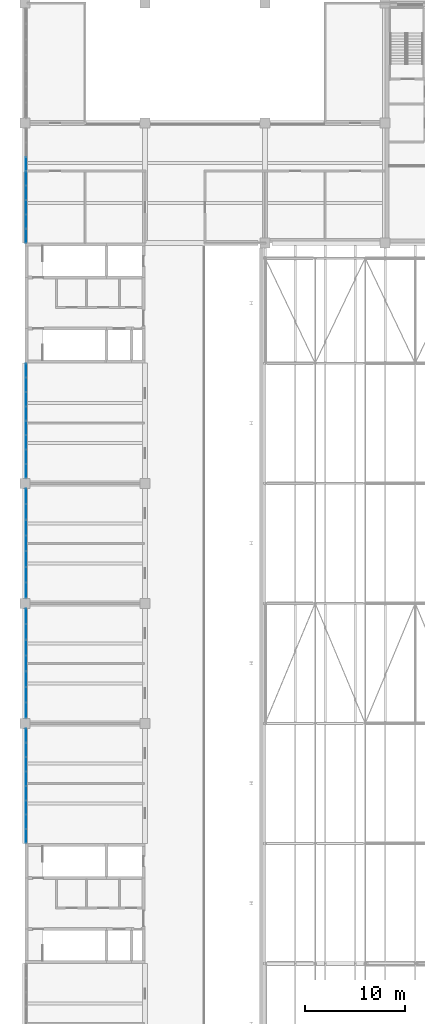
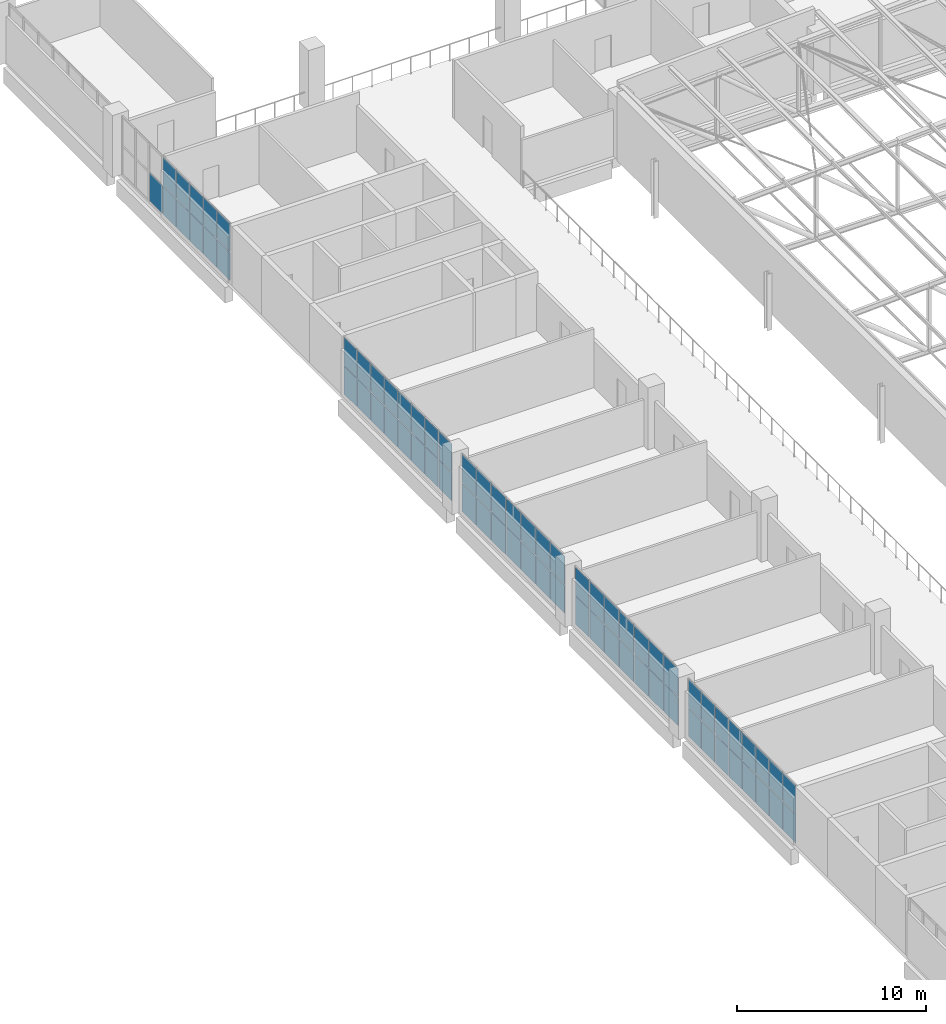
# One storey, part 138 of 156: 71 plates, 5 elements without a shape of their own.
"""IFC4 building model written with IfcOpenShell, lengths in metres."""

from ifc_helpers import new_model, si_unit, direction, frame, origin, origin_2d, place, context, subcontext, project, spatial, rectangle, extrude, material, layer, layer_set, type_object, element, aggregate, save


model = new_model("IFC4")

# Units and contexts
model_context = context("Model", 3, precision=1e-05, world=origin(), true_north=direction((0.0, 1.0)))
body_context = subcontext(model_context, "Body", "Model", "MODEL_VIEW")
ifc_project = project(units=[si_unit("LENGTHUNIT", "METRE"), si_unit("AREAUNIT", "SQUARE_METRE"), si_unit("VOLUMEUNIT", "CUBIC_METRE"), si_unit("PLANEANGLEUNIT", "RADIAN"), si_unit("MASSUNIT", "GRAM", prefix="KILO")], contexts=[model_context])

# Site, building, storey
site_placement = place(None, origin())
site = spatial("IfcSite", under=ifc_project, at=site_placement, CompositionType="ELEMENT")
building_placement = place(site_placement, origin())
building = spatial("IfcBuilding", under=site, at=building_placement, Name="Lilac Gate Convention Centre", CompositionType="ELEMENT")
storey_placement = place(building_placement, frame((0.0, 0.0, 17.0)))
storey = spatial("IfcBuildingStorey", under=building, at=storey_placement, Name="L03", CompositionType="ELEMENT", Elevation=17.0)

# Curtain wall, plates
ifc_material_1 = material(Name="Aluminium framed double glazing", Category="aluminium")
ifc_layer_1 = layer(ifc_material_1, 0.199951171875)
ifc_layer_set_1 = layer_set([ifc_layer_1], Name="Aluminium framed double glazing")
curtain_wall_type = type_object("IfcCurtainWallType", Name="Unitised curtain wall 1500", PredefinedType="NOTDEFINED", material=ifc_layer_set_1)
curtain_wall_1_placement = place(storey_placement, origin())
curtain_wall_1 = element("IfcCurtainWall", 1, at=curtain_wall_1_placement, inside=storey, type_object=curtain_wall_type, Name="Curtain wall PW L03 1", PredefinedType="NOTDEFINED")
ifc_material_2 = material(Name="Double glazed unit low emissivity")
ifc_layer_2 = layer(ifc_material_2, 0.028076171875)
ifc_layer_set_2 = layer_set([ifc_layer_2], Name="Double glazed unit low emissivity")
plate_type_1 = type_object("IfcPlateType", Name="Curtain wall glass panel 28", PredefinedType="CURTAIN_PANEL", material=ifc_layer_set_2)
plate_1_placement = place(storey_placement, frame((6.10009765625, 209.266357421875, 1.929931640625), z_axis=(0.0, 0.0, 1.0), x_axis=(0.0, -1.0, 0.0)))
plate_1 = element("IfcPlate", 2, at=plate_1_placement, type_object=plate_type_1, Name="CW panel 1.2", PredefinedType="CURTAIN_PANEL", context=body_context, shape_type="SweptSolid", body=[
    extrude(rectangle(XDim=1.347412109375, YDim=0.028076171875, at=origin_2d()), origin(), (0.0, 0.0, 1.0), 1.81005859375),
])
plate_2_placement = place(storey_placement, frame((6.10009765625, 207.84375, 1.929931640625), z_axis=(0.0, 0.0, 1.0), x_axis=(0.0, -1.0, 0.0)))
plate_2 = element("IfcPlate", 3, at=plate_2_placement, type_object=plate_type_1, Name="CW panel 2.2", PredefinedType="CURTAIN_PANEL", context=body_context, shape_type="SweptSolid", body=[
    extrude(rectangle(XDim=1.37744140625, YDim=0.028076171875, at=origin_2d()), origin(), (0.0, 0.0, 1.0), 1.81005859375),
])
plate_3_placement = place(storey_placement, frame((6.10009765625, 206.40625, 1.929931640625), z_axis=(0.0, 0.0, 1.0), x_axis=(0.0, -1.0, 0.0)))
plate_3 = element("IfcPlate", 4, at=plate_3_placement, type_object=plate_type_1, Name="CW panel 3.2", PredefinedType="CURTAIN_PANEL", context=body_context, shape_type="SweptSolid", body=[
    extrude(rectangle(XDim=1.37744140625, YDim=0.028076171875, at=origin_2d()), origin(), (0.0, 0.0, 1.0), 1.81005859375),
])
plate_4_placement = place(storey_placement, frame((6.10009765625, 204.96875, 1.929931640625), z_axis=(0.0, 0.0, 1.0), x_axis=(0.0, -1.0, 0.0)))
plate_4 = element("IfcPlate", 5, at=plate_4_placement, type_object=plate_type_1, Name="CW panel 4.2", PredefinedType="CURTAIN_PANEL", context=body_context, shape_type="SweptSolid", body=[
    extrude(rectangle(XDim=1.37744140625, YDim=0.028076171875, at=origin_2d()), origin(), (0.0, 0.0, 1.0), 1.81005859375),
])
plate_5_placement = place(storey_placement, frame((6.10009765625, 203.53125, 1.929931640625), z_axis=(0.0, 0.0, 1.0), x_axis=(0.0, -1.0, 0.0)))
plate_5 = element("IfcPlate", 6, at=plate_5_placement, type_object=plate_type_1, Name="CW panel 5.2", PredefinedType="CURTAIN_PANEL", context=body_context, shape_type="SweptSolid", body=[
    extrude(rectangle(XDim=1.37744140625, YDim=0.028076171875, at=origin_2d()), origin(), (0.0, 0.0, 1.0), 1.81005859375),
])
plate_6_placement = place(storey_placement, frame((6.10009765625, 202.09375, 1.929931640625), z_axis=(0.0, 0.0, 1.0), x_axis=(0.0, -1.0, 0.0)))
plate_6 = element("IfcPlate", 7, at=plate_6_placement, type_object=plate_type_1, Name="CW panel 6.2", PredefinedType="CURTAIN_PANEL", context=body_context, shape_type="SweptSolid", body=[
    extrude(rectangle(XDim=1.37744140625, YDim=0.028076171875, at=origin_2d()), origin(), (0.0, 0.0, 1.0), 1.81005859375),
])
plate_7_placement = place(storey_placement, frame((6.10009765625, 200.65625, 1.929931640625), z_axis=(0.0, 0.0, 1.0), x_axis=(0.0, -1.0, 0.0)))
plate_7 = element("IfcPlate", 8, at=plate_7_placement, type_object=plate_type_1, Name="CW panel 7.2", PredefinedType="CURTAIN_PANEL", context=body_context, shape_type="SweptSolid", body=[
    extrude(rectangle(XDim=1.37744140625, YDim=0.028076171875, at=origin_2d()), origin(), (0.0, 0.0, 1.0), 1.81005859375),
])
plate_8_placement = place(storey_placement, frame((6.10009765625, 199.233642578125, 1.929931640625), z_axis=(0.0, 0.0, 1.0), x_axis=(0.0, -1.0, 0.0)))
plate_8 = element("IfcPlate", 9, at=plate_8_placement, type_object=plate_type_1, Name="CW panel 8.2", PredefinedType="CURTAIN_PANEL", context=body_context, shape_type="SweptSolid", body=[
    extrude(rectangle(XDim=1.347412109375, YDim=0.028076171875, at=origin_2d()), origin(), (0.0, 0.0, 1.0), 1.81005859375),
])

curtain_wall_2_placement = place(storey_placement, origin())
curtain_wall_2 = element("IfcCurtainWall", 10, at=curtain_wall_2_placement, inside=storey, type_object=curtain_wall_type, Name="Curtain wall PW L03 2", PredefinedType="NOTDEFINED")
plate_9_placement = place(storey_placement, frame((6.10009765625, 196.69921875, 1.929931640625), z_axis=(0.0, 0.0, 1.0), x_axis=(0.0, -1.0, 0.0)))
plate_9 = element("IfcPlate", 11, at=plate_9_placement, type_object=plate_type_1, Name="CW panel 1.2", PredefinedType="CURTAIN_PANEL", context=body_context, shape_type="SweptSolid", body=[
    extrude(rectangle(XDim=1.4814453125, YDim=0.028076171875, at=origin_2d()), origin(), (0.0, 0.0, 1.0), 1.81005859375),
])
plate_10_placement = place(storey_placement, frame((6.10009765625, 195.142822265625, 1.929931640625), z_axis=(0.0, 0.0, 1.0), x_axis=(0.0, -1.0, 0.0)))
plate_10 = element("IfcPlate", 12, at=plate_10_placement, type_object=plate_type_1, Name="CW panel 2.2", PredefinedType="CURTAIN_PANEL", context=body_context, shape_type="SweptSolid", body=[
    extrude(rectangle(XDim=1.511474609375, YDim=0.028076171875, at=origin_2d()), origin(), (0.0, 0.0, 1.0), 1.81005859375),
])
plate_11_placement = place(storey_placement, frame((6.10009765625, 193.571533203125, 1.929931640625), z_axis=(0.0, 0.0, 1.0), x_axis=(0.0, -1.0, 0.0)))
plate_11 = element("IfcPlate", 13, at=plate_11_placement, type_object=plate_type_1, Name="CW panel 3.2", PredefinedType="CURTAIN_PANEL", context=body_context, shape_type="SweptSolid", body=[
    extrude(rectangle(XDim=1.511474609375, YDim=0.028076171875, at=origin_2d()), origin(), (0.0, 0.0, 1.0), 1.81005859375),
])
plate_12_placement = place(storey_placement, frame((6.10009765625, 192.0, 1.929931640625), z_axis=(0.0, 0.0, 1.0), x_axis=(0.0, -1.0, 0.0)))
plate_12 = element("IfcPlate", 14, at=plate_12_placement, type_object=plate_type_1, Name="CW panel 4.2", PredefinedType="CURTAIN_PANEL", context=body_context, shape_type="SweptSolid", body=[
    extrude(rectangle(XDim=1.511474609375, YDim=0.028076171875, at=origin_2d()), origin(), (0.0, 0.0, 1.0), 1.81005859375),
])
plate_13_placement = place(storey_placement, frame((6.10009765625, 190.428466796875, 1.929931640625), z_axis=(0.0, 0.0, 1.0), x_axis=(0.0, -1.0, 0.0)))
plate_13 = element("IfcPlate", 15, at=plate_13_placement, type_object=plate_type_1, Name="CW panel 5.2", PredefinedType="CURTAIN_PANEL", context=body_context, shape_type="SweptSolid", body=[
    extrude(rectangle(XDim=1.511474609375, YDim=0.028076171875, at=origin_2d()), origin(), (0.0, 0.0, 1.0), 1.81005859375),
])
plate_14_placement = place(storey_placement, frame((6.10009765625, 188.857177734375, 1.929931640625), z_axis=(0.0, 0.0, 1.0), x_axis=(0.0, -1.0, 0.0)))
plate_14 = element("IfcPlate", 16, at=plate_14_placement, type_object=plate_type_1, Name="CW panel 6.2", PredefinedType="CURTAIN_PANEL", context=body_context, shape_type="SweptSolid", body=[
    extrude(rectangle(XDim=1.511474609375, YDim=0.028076171875, at=origin_2d()), origin(), (0.0, 0.0, 1.0), 1.81005859375),
])
plate_15_placement = place(storey_placement, frame((6.10009765625, 187.30078125, 1.929931640625), z_axis=(0.0, 0.0, 1.0), x_axis=(0.0, -1.0, 0.0)))
plate_15 = element("IfcPlate", 17, at=plate_15_placement, type_object=plate_type_1, Name="CW panel 7.2", PredefinedType="CURTAIN_PANEL", context=body_context, shape_type="SweptSolid", body=[
    extrude(rectangle(XDim=1.4814453125, YDim=0.028076171875, at=origin_2d()), origin(), (0.0, 0.0, 1.0), 1.81005859375),
])

curtain_wall_3_placement = place(storey_placement, origin())
curtain_wall_3 = element("IfcCurtainWall", 18, at=curtain_wall_3_placement, inside=storey, type_object=curtain_wall_type, Name="Curtain wall PW L03 3", PredefinedType="NOTDEFINED")
plate_16_placement = place(storey_placement, frame((6.10009765625, 184.69921875, 1.929931640625), z_axis=(0.0, 0.0, 1.0), x_axis=(0.0, -1.0, 0.0)))
plate_16 = element("IfcPlate", 19, at=plate_16_placement, type_object=plate_type_1, Name="CW panel 1.2", PredefinedType="CURTAIN_PANEL", context=body_context, shape_type="SweptSolid", body=[
    extrude(rectangle(XDim=1.4814453125, YDim=0.028076171875, at=origin_2d()), origin(), (0.0, 0.0, 1.0), 1.81005859375),
])
plate_17_placement = place(storey_placement, frame((6.10009765625, 183.142822265625, 1.929931640625), z_axis=(0.0, 0.0, 1.0), x_axis=(0.0, -1.0, 0.0)))
plate_17 = element("IfcPlate", 20, at=plate_17_placement, type_object=plate_type_1, Name="CW panel 2.2", PredefinedType="CURTAIN_PANEL", context=body_context, shape_type="SweptSolid", body=[
    extrude(rectangle(XDim=1.511474609375, YDim=0.028076171875, at=origin_2d()), origin(), (0.0, 0.0, 1.0), 1.81005859375),
])
plate_18_placement = place(storey_placement, frame((6.10009765625, 181.571533203125, 1.929931640625), z_axis=(0.0, 0.0, 1.0), x_axis=(0.0, -1.0, 0.0)))
plate_18 = element("IfcPlate", 21, at=plate_18_placement, type_object=plate_type_1, Name="CW panel 3.2", PredefinedType="CURTAIN_PANEL", context=body_context, shape_type="SweptSolid", body=[
    extrude(rectangle(XDim=1.511474609375, YDim=0.028076171875, at=origin_2d()), origin(), (0.0, 0.0, 1.0), 1.81005859375),
])
plate_19_placement = place(storey_placement, frame((6.10009765625, 180.0, 1.929931640625), z_axis=(0.0, 0.0, 1.0), x_axis=(0.0, -1.0, 0.0)))
plate_19 = element("IfcPlate", 22, at=plate_19_placement, type_object=plate_type_1, Name="CW panel 4.2", PredefinedType="CURTAIN_PANEL", context=body_context, shape_type="SweptSolid", body=[
    extrude(rectangle(XDim=1.511474609375, YDim=0.028076171875, at=origin_2d()), origin(), (0.0, 0.0, 1.0), 1.81005859375),
])
plate_20_placement = place(storey_placement, frame((6.10009765625, 178.428466796875, 1.929931640625), z_axis=(0.0, 0.0, 1.0), x_axis=(0.0, -1.0, 0.0)))
plate_20 = element("IfcPlate", 23, at=plate_20_placement, type_object=plate_type_1, Name="CW panel 5.2", PredefinedType="CURTAIN_PANEL", context=body_context, shape_type="SweptSolid", body=[
    extrude(rectangle(XDim=1.511474609375, YDim=0.028076171875, at=origin_2d()), origin(), (0.0, 0.0, 1.0), 1.81005859375),
])
plate_21_placement = place(storey_placement, frame((6.10009765625, 176.857177734375, 1.929931640625), z_axis=(0.0, 0.0, 1.0), x_axis=(0.0, -1.0, 0.0)))
plate_21 = element("IfcPlate", 24, at=plate_21_placement, type_object=plate_type_1, Name="CW panel 6.2", PredefinedType="CURTAIN_PANEL", context=body_context, shape_type="SweptSolid", body=[
    extrude(rectangle(XDim=1.511474609375, YDim=0.028076171875, at=origin_2d()), origin(), (0.0, 0.0, 1.0), 1.81005859375),
])
plate_22_placement = place(storey_placement, frame((6.10009765625, 175.30078125, 1.929931640625), z_axis=(0.0, 0.0, 1.0), x_axis=(0.0, -1.0, 0.0)))
plate_22 = element("IfcPlate", 25, at=plate_22_placement, type_object=plate_type_1, Name="CW panel 7.2", PredefinedType="CURTAIN_PANEL", context=body_context, shape_type="SweptSolid", body=[
    extrude(rectangle(XDim=1.4814453125, YDim=0.028076171875, at=origin_2d()), origin(), (0.0, 0.0, 1.0), 1.81005859375),
])

curtain_wall_4_placement = place(storey_placement, origin())
curtain_wall_4 = element("IfcCurtainWall", 26, at=curtain_wall_4_placement, inside=storey, type_object=curtain_wall_type, Name="Curtain wall PW L03 4", PredefinedType="NOTDEFINED")
plate_23_placement = place(storey_placement, frame((6.10009765625, 172.766357421875, 1.929931640625), z_axis=(0.0, 0.0, 1.0), x_axis=(0.0, -1.0, 0.0)))
plate_23 = element("IfcPlate", 27, at=plate_23_placement, type_object=plate_type_1, Name="CW panel 1.2", PredefinedType="CURTAIN_PANEL", context=body_context, shape_type="SweptSolid", body=[
    extrude(rectangle(XDim=1.347412109375, YDim=0.028076171875, at=origin_2d()), origin(), (0.0, 0.0, 1.0), 1.81005859375),
])
plate_24_placement = place(storey_placement, frame((6.10009765625, 171.34375, 1.929931640625), z_axis=(0.0, 0.0, 1.0), x_axis=(0.0, -1.0, 0.0)))
plate_24 = element("IfcPlate", 28, at=plate_24_placement, type_object=plate_type_1, Name="CW panel 2.2", PredefinedType="CURTAIN_PANEL", context=body_context, shape_type="SweptSolid", body=[
    extrude(rectangle(XDim=1.37744140625, YDim=0.028076171875, at=origin_2d()), origin(), (0.0, 0.0, 1.0), 1.81005859375),
])
plate_25_placement = place(storey_placement, frame((6.10009765625, 169.90625, 1.929931640625), z_axis=(0.0, 0.0, 1.0), x_axis=(0.0, -1.0, 0.0)))
plate_25 = element("IfcPlate", 29, at=plate_25_placement, type_object=plate_type_1, Name="CW panel 3.2", PredefinedType="CURTAIN_PANEL", context=body_context, shape_type="SweptSolid", body=[
    extrude(rectangle(XDim=1.37744140625, YDim=0.028076171875, at=origin_2d()), origin(), (0.0, 0.0, 1.0), 1.81005859375),
])
plate_26_placement = place(storey_placement, frame((6.10009765625, 168.46875, 1.929931640625), z_axis=(0.0, 0.0, 1.0), x_axis=(0.0, -1.0, 0.0)))
plate_26 = element("IfcPlate", 30, at=plate_26_placement, type_object=plate_type_1, Name="CW panel 4.2", PredefinedType="CURTAIN_PANEL", context=body_context, shape_type="SweptSolid", body=[
    extrude(rectangle(XDim=1.37744140625, YDim=0.028076171875, at=origin_2d()), origin(), (0.0, 0.0, 1.0), 1.81005859375),
])
plate_27_placement = place(storey_placement, frame((6.10009765625, 167.03125, 1.929931640625), z_axis=(0.0, 0.0, 1.0), x_axis=(0.0, -1.0, 0.0)))
plate_27 = element("IfcPlate", 31, at=plate_27_placement, type_object=plate_type_1, Name="CW panel 5.2", PredefinedType="CURTAIN_PANEL", context=body_context, shape_type="SweptSolid", body=[
    extrude(rectangle(XDim=1.37744140625, YDim=0.028076171875, at=origin_2d()), origin(), (0.0, 0.0, 1.0), 1.81005859375),
])
plate_28_placement = place(storey_placement, frame((6.10009765625, 165.59375, 1.929931640625), z_axis=(0.0, 0.0, 1.0), x_axis=(0.0, -1.0, 0.0)))
plate_28 = element("IfcPlate", 32, at=plate_28_placement, type_object=plate_type_1, Name="CW panel 6.2", PredefinedType="CURTAIN_PANEL", context=body_context, shape_type="SweptSolid", body=[
    extrude(rectangle(XDim=1.37744140625, YDim=0.028076171875, at=origin_2d()), origin(), (0.0, 0.0, 1.0), 1.81005859375),
])
plate_29_placement = place(storey_placement, frame((6.10009765625, 164.15625, 1.929931640625), z_axis=(0.0, 0.0, 1.0), x_axis=(0.0, -1.0, 0.0)))
plate_29 = element("IfcPlate", 33, at=plate_29_placement, type_object=plate_type_1, Name="CW panel 7.2", PredefinedType="CURTAIN_PANEL", context=body_context, shape_type="SweptSolid", body=[
    extrude(rectangle(XDim=1.37744140625, YDim=0.028076171875, at=origin_2d()), origin(), (0.0, 0.0, 1.0), 1.81005859375),
])
plate_30_placement = place(storey_placement, frame((6.10009765625, 162.733642578125, 1.929931640625), z_axis=(0.0, 0.0, 1.0), x_axis=(0.0, -1.0, 0.0)))
plate_30 = element("IfcPlate", 34, at=plate_30_placement, type_object=plate_type_1, Name="CW panel 8.2", PredefinedType="CURTAIN_PANEL", context=body_context, shape_type="SweptSolid", body=[
    extrude(rectangle(XDim=1.347412109375, YDim=0.028076171875, at=origin_2d()), origin(), (0.0, 0.0, 1.0), 1.81005859375),
])

curtain_wall_5_placement = place(storey_placement, origin())
curtain_wall_5 = element("IfcCurtainWall", 35, at=curtain_wall_5_placement, inside=storey, type_object=curtain_wall_type, Name="Curtain wall GW L03 2", PredefinedType="NOTDEFINED")
plate_31_placement = place(storey_placement, frame((6.10009765625, 228.46875, 1.929931640625), z_axis=(0.0, 0.0, 1.0), x_axis=(0.0, -1.0, 0.0)))
plate_31 = element("IfcPlate", 36, at=plate_31_placement, type_object=plate_type_1, Name="CW panel 4.2", PredefinedType="CURTAIN_PANEL", context=body_context, shape_type="SweptSolid", body=[
    extrude(rectangle(XDim=1.37744140625, YDim=0.028076171875, at=origin_2d()), origin(), (0.0, 0.0, 1.0), 1.81005859375),
])
plate_32_placement = place(storey_placement, frame((6.10009765625, 227.03125, 1.929931640625), z_axis=(0.0, 0.0, 1.0), x_axis=(0.0, -1.0, 0.0)))
plate_32 = element("IfcPlate", 37, at=plate_32_placement, type_object=plate_type_1, Name="CW panel 5.2", PredefinedType="CURTAIN_PANEL", context=body_context, shape_type="SweptSolid", body=[
    extrude(rectangle(XDim=1.37744140625, YDim=0.028076171875, at=origin_2d()), origin(), (0.0, 0.0, 1.0), 1.81005859375),
])
plate_33_placement = place(storey_placement, frame((6.10009765625, 225.59375, 1.929931640625), z_axis=(0.0, 0.0, 1.0), x_axis=(0.0, -1.0, 0.0)))
plate_33 = element("IfcPlate", 38, at=plate_33_placement, type_object=plate_type_1, Name="CW panel 6.2", PredefinedType="CURTAIN_PANEL", context=body_context, shape_type="SweptSolid", body=[
    extrude(rectangle(XDim=1.37744140625, YDim=0.028076171875, at=origin_2d()), origin(), (0.0, 0.0, 1.0), 1.81005859375),
])
plate_34_placement = place(storey_placement, frame((6.10009765625, 224.15625, 1.929931640625), z_axis=(0.0, 0.0, 1.0), x_axis=(0.0, -1.0, 0.0)))
plate_34 = element("IfcPlate", 39, at=plate_34_placement, type_object=plate_type_1, Name="CW panel 7.2", PredefinedType="CURTAIN_PANEL", context=body_context, shape_type="SweptSolid", body=[
    extrude(rectangle(XDim=1.37744140625, YDim=0.028076171875, at=origin_2d()), origin(), (0.0, 0.0, 1.0), 1.81005859375),
])
plate_35_placement = place(storey_placement, frame((6.10009765625, 222.733642578125, 1.929931640625), z_axis=(0.0, 0.0, 1.0), x_axis=(0.0, -1.0, 0.0)))
plate_35 = element("IfcPlate", 40, at=plate_35_placement, type_object=plate_type_1, Name="CW panel 8.2", PredefinedType="CURTAIN_PANEL", context=body_context, shape_type="SweptSolid", body=[
    extrude(rectangle(XDim=1.347412109375, YDim=0.028076171875, at=origin_2d()), origin(), (0.0, 0.0, 1.0), 1.81005859375),
])

# Plate
ifc_material_3 = material(Name="Insulated aluminium spandrel panel", Category="aluminium")
ifc_layer_3 = layer(ifc_material_3, 0.028076171875)
ifc_layer_set_3 = layer_set([ifc_layer_3], Name="Insulated aluminium spandrel panel")
plate_type_2 = type_object("IfcPlateType", Name="Curtain wall spandrel panel 28", PredefinedType="CURTAIN_PANEL", material=ifc_layer_set_3)
plate_36_placement = place(storey_placement, frame((6.10009765625, 209.266357421875, 0.06005859375), z_axis=(0.0, 0.0, 1.0), x_axis=(0.0, -1.0, 0.0)))
plate_36 = element("IfcPlate", 41, at=plate_36_placement, type_object=plate_type_2, Name="CW spandrel 1.1", PredefinedType="CURTAIN_PANEL", context=body_context, shape_type="SweptSolid", body=[
    extrude(rectangle(XDim=1.347412109375, YDim=0.028076171875, at=origin_2d()), origin(), (0.0, 0.0, 1.0), 1.81005859375),
])

plate_37_placement = place(storey_placement, frame((6.10009765625, 207.84375, 0.06005859375), z_axis=(0.0, 0.0, 1.0), x_axis=(0.0, -1.0, 0.0)))
plate_37 = element("IfcPlate", 42, at=plate_37_placement, type_object=plate_type_2, Name="CW spandrel 2.1", PredefinedType="CURTAIN_PANEL", context=body_context, shape_type="SweptSolid", body=[
    extrude(rectangle(XDim=1.37744140625, YDim=0.028076171875, at=origin_2d()), origin(), (0.0, 0.0, 1.0), 1.81005859375),
])

plate_38_placement = place(storey_placement, frame((6.10009765625, 206.40625, 0.06005859375), z_axis=(0.0, 0.0, 1.0), x_axis=(0.0, -1.0, 0.0)))
plate_38 = element("IfcPlate", 43, at=plate_38_placement, type_object=plate_type_2, Name="CW spandrel 3.1", PredefinedType="CURTAIN_PANEL", context=body_context, shape_type="SweptSolid", body=[
    extrude(rectangle(XDim=1.37744140625, YDim=0.028076171875, at=origin_2d()), origin(), (0.0, 0.0, 1.0), 1.81005859375),
])

plate_39_placement = place(storey_placement, frame((6.10009765625, 204.96875, 0.06005859375), z_axis=(0.0, 0.0, 1.0), x_axis=(0.0, -1.0, 0.0)))
plate_39 = element("IfcPlate", 44, at=plate_39_placement, type_object=plate_type_2, Name="CW spandrel 4.1", PredefinedType="CURTAIN_PANEL", context=body_context, shape_type="SweptSolid", body=[
    extrude(rectangle(XDim=1.37744140625, YDim=0.028076171875, at=origin_2d()), origin(), (0.0, 0.0, 1.0), 1.81005859375),
])

plate_40_placement = place(storey_placement, frame((6.10009765625, 203.53125, 0.06005859375), z_axis=(0.0, 0.0, 1.0), x_axis=(0.0, -1.0, 0.0)))
plate_40 = element("IfcPlate", 45, at=plate_40_placement, type_object=plate_type_2, Name="CW spandrel 5.1", PredefinedType="CURTAIN_PANEL", context=body_context, shape_type="SweptSolid", body=[
    extrude(rectangle(XDim=1.37744140625, YDim=0.028076171875, at=origin_2d()), origin(), (0.0, 0.0, 1.0), 1.81005859375),
])

plate_41_placement = place(storey_placement, frame((6.10009765625, 202.09375, 0.06005859375), z_axis=(0.0, 0.0, 1.0), x_axis=(0.0, -1.0, 0.0)))
plate_41 = element("IfcPlate", 46, at=plate_41_placement, type_object=plate_type_2, Name="CW spandrel 6.1", PredefinedType="CURTAIN_PANEL", context=body_context, shape_type="SweptSolid", body=[
    extrude(rectangle(XDim=1.37744140625, YDim=0.028076171875, at=origin_2d()), origin(), (0.0, 0.0, 1.0), 1.81005859375),
])

plate_42_placement = place(storey_placement, frame((6.10009765625, 200.65625, 0.06005859375), z_axis=(0.0, 0.0, 1.0), x_axis=(0.0, -1.0, 0.0)))
plate_42 = element("IfcPlate", 47, at=plate_42_placement, type_object=plate_type_2, Name="CW spandrel 7.1", PredefinedType="CURTAIN_PANEL", context=body_context, shape_type="SweptSolid", body=[
    extrude(rectangle(XDim=1.37744140625, YDim=0.028076171875, at=origin_2d()), origin(), (0.0, 0.0, 1.0), 1.81005859375),
])

plate_43_placement = place(storey_placement, frame((6.10009765625, 199.233642578125, 0.06005859375), z_axis=(0.0, 0.0, 1.0), x_axis=(0.0, -1.0, 0.0)))
plate_43 = element("IfcPlate", 48, at=plate_43_placement, type_object=plate_type_2, Name="CW spandrel 8.1", PredefinedType="CURTAIN_PANEL", context=body_context, shape_type="SweptSolid", body=[
    extrude(rectangle(XDim=1.347412109375, YDim=0.028076171875, at=origin_2d()), origin(), (0.0, 0.0, 1.0), 1.81005859375),
])

aggregate(curtain_wall_1, [plate_36, plate_1, plate_37, plate_2, plate_38, plate_3, plate_39, plate_4, plate_40, plate_5, plate_41, plate_6, plate_42, plate_7, plate_43, plate_8])

plate_44_placement = place(storey_placement, frame((6.10009765625, 196.69921875, 0.06005859375), z_axis=(0.0, 0.0, 1.0), x_axis=(0.0, -1.0, 0.0)))
plate_44 = element("IfcPlate", 49, at=plate_44_placement, type_object=plate_type_2, Name="CW spandrel 1.1", PredefinedType="CURTAIN_PANEL", context=body_context, shape_type="SweptSolid", body=[
    extrude(rectangle(XDim=1.4814453125, YDim=0.028076171875, at=origin_2d()), origin(), (0.0, 0.0, 1.0), 1.81005859375),
])

plate_45_placement = place(storey_placement, frame((6.10009765625, 195.142822265625, 0.06005859375), z_axis=(0.0, 0.0, 1.0), x_axis=(0.0, -1.0, 0.0)))
plate_45 = element("IfcPlate", 50, at=plate_45_placement, type_object=plate_type_2, Name="CW spandrel 2.1", PredefinedType="CURTAIN_PANEL", context=body_context, shape_type="SweptSolid", body=[
    extrude(rectangle(XDim=1.511474609375, YDim=0.028076171875, at=origin_2d()), origin(), (0.0, 0.0, 1.0), 1.81005859375),
])

plate_46_placement = place(storey_placement, frame((6.10009765625, 193.571533203125, 0.06005859375), z_axis=(0.0, 0.0, 1.0), x_axis=(0.0, -1.0, 0.0)))
plate_46 = element("IfcPlate", 51, at=plate_46_placement, type_object=plate_type_2, Name="CW spandrel 3.1", PredefinedType="CURTAIN_PANEL", context=body_context, shape_type="SweptSolid", body=[
    extrude(rectangle(XDim=1.511474609375, YDim=0.028076171875, at=origin_2d()), origin(), (0.0, 0.0, 1.0), 1.81005859375),
])

plate_47_placement = place(storey_placement, frame((6.10009765625, 192.0, 0.06005859375), z_axis=(0.0, 0.0, 1.0), x_axis=(0.0, -1.0, 0.0)))
plate_47 = element("IfcPlate", 52, at=plate_47_placement, type_object=plate_type_2, Name="CW spandrel 4.1", PredefinedType="CURTAIN_PANEL", context=body_context, shape_type="SweptSolid", body=[
    extrude(rectangle(XDim=1.511474609375, YDim=0.028076171875, at=origin_2d()), origin(), (0.0, 0.0, 1.0), 1.81005859375),
])

plate_48_placement = place(storey_placement, frame((6.10009765625, 190.428466796875, 0.06005859375), z_axis=(0.0, 0.0, 1.0), x_axis=(0.0, -1.0, 0.0)))
plate_48 = element("IfcPlate", 53, at=plate_48_placement, type_object=plate_type_2, Name="CW spandrel 5.1", PredefinedType="CURTAIN_PANEL", context=body_context, shape_type="SweptSolid", body=[
    extrude(rectangle(XDim=1.511474609375, YDim=0.028076171875, at=origin_2d()), origin(), (0.0, 0.0, 1.0), 1.81005859375),
])

plate_49_placement = place(storey_placement, frame((6.10009765625, 188.857177734375, 0.06005859375), z_axis=(0.0, 0.0, 1.0), x_axis=(0.0, -1.0, 0.0)))
plate_49 = element("IfcPlate", 54, at=plate_49_placement, type_object=plate_type_2, Name="CW spandrel 6.1", PredefinedType="CURTAIN_PANEL", context=body_context, shape_type="SweptSolid", body=[
    extrude(rectangle(XDim=1.511474609375, YDim=0.028076171875, at=origin_2d()), origin(), (0.0, 0.0, 1.0), 1.81005859375),
])

plate_50_placement = place(storey_placement, frame((6.10009765625, 187.30078125, 0.06005859375), z_axis=(0.0, 0.0, 1.0), x_axis=(0.0, -1.0, 0.0)))
plate_50 = element("IfcPlate", 55, at=plate_50_placement, type_object=plate_type_2, Name="CW spandrel 7.1", PredefinedType="CURTAIN_PANEL", context=body_context, shape_type="SweptSolid", body=[
    extrude(rectangle(XDim=1.4814453125, YDim=0.028076171875, at=origin_2d()), origin(), (0.0, 0.0, 1.0), 1.81005859375),
])

aggregate(curtain_wall_2, [plate_44, plate_9, plate_45, plate_10, plate_46, plate_11, plate_47, plate_12, plate_48, plate_13, plate_49, plate_14, plate_50, plate_15])

plate_51_placement = place(storey_placement, frame((6.10009765625, 184.69921875, 0.06005859375), z_axis=(0.0, 0.0, 1.0), x_axis=(0.0, -1.0, 0.0)))
plate_51 = element("IfcPlate", 56, at=plate_51_placement, type_object=plate_type_2, Name="CW spandrel 1.1", PredefinedType="CURTAIN_PANEL", context=body_context, shape_type="SweptSolid", body=[
    extrude(rectangle(XDim=1.4814453125, YDim=0.028076171875, at=origin_2d()), origin(), (0.0, 0.0, 1.0), 1.81005859375),
])

plate_52_placement = place(storey_placement, frame((6.10009765625, 183.142822265625, 0.06005859375), z_axis=(0.0, 0.0, 1.0), x_axis=(0.0, -1.0, 0.0)))
plate_52 = element("IfcPlate", 57, at=plate_52_placement, type_object=plate_type_2, Name="CW spandrel 2.1", PredefinedType="CURTAIN_PANEL", context=body_context, shape_type="SweptSolid", body=[
    extrude(rectangle(XDim=1.511474609375, YDim=0.028076171875, at=origin_2d()), origin(), (0.0, 0.0, 1.0), 1.81005859375),
])

plate_53_placement = place(storey_placement, frame((6.10009765625, 181.571533203125, 0.06005859375), z_axis=(0.0, 0.0, 1.0), x_axis=(0.0, -1.0, 0.0)))
plate_53 = element("IfcPlate", 58, at=plate_53_placement, type_object=plate_type_2, Name="CW spandrel 3.1", PredefinedType="CURTAIN_PANEL", context=body_context, shape_type="SweptSolid", body=[
    extrude(rectangle(XDim=1.511474609375, YDim=0.028076171875, at=origin_2d()), origin(), (0.0, 0.0, 1.0), 1.81005859375),
])

plate_54_placement = place(storey_placement, frame((6.10009765625, 180.0, 0.06005859375), z_axis=(0.0, 0.0, 1.0), x_axis=(0.0, -1.0, 0.0)))
plate_54 = element("IfcPlate", 59, at=plate_54_placement, type_object=plate_type_2, Name="CW spandrel 4.1", PredefinedType="CURTAIN_PANEL", context=body_context, shape_type="SweptSolid", body=[
    extrude(rectangle(XDim=1.511474609375, YDim=0.028076171875, at=origin_2d()), origin(), (0.0, 0.0, 1.0), 1.81005859375),
])

plate_55_placement = place(storey_placement, frame((6.10009765625, 178.428466796875, 0.06005859375), z_axis=(0.0, 0.0, 1.0), x_axis=(0.0, -1.0, 0.0)))
plate_55 = element("IfcPlate", 60, at=plate_55_placement, type_object=plate_type_2, Name="CW spandrel 5.1", PredefinedType="CURTAIN_PANEL", context=body_context, shape_type="SweptSolid", body=[
    extrude(rectangle(XDim=1.511474609375, YDim=0.028076171875, at=origin_2d()), origin(), (0.0, 0.0, 1.0), 1.81005859375),
])

plate_56_placement = place(storey_placement, frame((6.10009765625, 176.857177734375, 0.06005859375), z_axis=(0.0, 0.0, 1.0), x_axis=(0.0, -1.0, 0.0)))
plate_56 = element("IfcPlate", 61, at=plate_56_placement, type_object=plate_type_2, Name="CW spandrel 6.1", PredefinedType="CURTAIN_PANEL", context=body_context, shape_type="SweptSolid", body=[
    extrude(rectangle(XDim=1.511474609375, YDim=0.028076171875, at=origin_2d()), origin(), (0.0, 0.0, 1.0), 1.81005859375),
])

plate_57_placement = place(storey_placement, frame((6.10009765625, 175.30078125, 0.06005859375), z_axis=(0.0, 0.0, 1.0), x_axis=(0.0, -1.0, 0.0)))
plate_57 = element("IfcPlate", 62, at=plate_57_placement, type_object=plate_type_2, Name="CW spandrel 7.1", PredefinedType="CURTAIN_PANEL", context=body_context, shape_type="SweptSolid", body=[
    extrude(rectangle(XDim=1.4814453125, YDim=0.028076171875, at=origin_2d()), origin(), (0.0, 0.0, 1.0), 1.81005859375),
])

aggregate(curtain_wall_3, [plate_51, plate_16, plate_52, plate_17, plate_53, plate_18, plate_54, plate_19, plate_55, plate_20, plate_56, plate_21, plate_57, plate_22])

plate_58_placement = place(storey_placement, frame((6.10009765625, 172.766357421875, 0.06005859375), z_axis=(0.0, 0.0, 1.0), x_axis=(0.0, -1.0, 0.0)))
plate_58 = element("IfcPlate", 63, at=plate_58_placement, type_object=plate_type_2, Name="CW spandrel 1.1", PredefinedType="CURTAIN_PANEL", context=body_context, shape_type="SweptSolid", body=[
    extrude(rectangle(XDim=1.347412109375, YDim=0.028076171875, at=origin_2d()), origin(), (0.0, 0.0, 1.0), 1.81005859375),
])

plate_59_placement = place(storey_placement, frame((6.10009765625, 171.34375, 0.06005859375), z_axis=(0.0, 0.0, 1.0), x_axis=(0.0, -1.0, 0.0)))
plate_59 = element("IfcPlate", 64, at=plate_59_placement, type_object=plate_type_2, Name="CW spandrel 2.1", PredefinedType="CURTAIN_PANEL", context=body_context, shape_type="SweptSolid", body=[
    extrude(rectangle(XDim=1.37744140625, YDim=0.028076171875, at=origin_2d()), origin(), (0.0, 0.0, 1.0), 1.81005859375),
])

plate_60_placement = place(storey_placement, frame((6.10009765625, 169.90625, 0.06005859375), z_axis=(0.0, 0.0, 1.0), x_axis=(0.0, -1.0, 0.0)))
plate_60 = element("IfcPlate", 65, at=plate_60_placement, type_object=plate_type_2, Name="CW spandrel 3.1", PredefinedType="CURTAIN_PANEL", context=body_context, shape_type="SweptSolid", body=[
    extrude(rectangle(XDim=1.37744140625, YDim=0.028076171875, at=origin_2d()), origin(), (0.0, 0.0, 1.0), 1.81005859375),
])

plate_61_placement = place(storey_placement, frame((6.10009765625, 168.46875, 0.06005859375), z_axis=(0.0, 0.0, 1.0), x_axis=(0.0, -1.0, 0.0)))
plate_61 = element("IfcPlate", 66, at=plate_61_placement, type_object=plate_type_2, Name="CW spandrel 4.1", PredefinedType="CURTAIN_PANEL", context=body_context, shape_type="SweptSolid", body=[
    extrude(rectangle(XDim=1.37744140625, YDim=0.028076171875, at=origin_2d()), origin(), (0.0, 0.0, 1.0), 1.81005859375),
])

plate_62_placement = place(storey_placement, frame((6.10009765625, 167.03125, 0.06005859375), z_axis=(0.0, 0.0, 1.0), x_axis=(0.0, -1.0, 0.0)))
plate_62 = element("IfcPlate", 67, at=plate_62_placement, type_object=plate_type_2, Name="CW spandrel 5.1", PredefinedType="CURTAIN_PANEL", context=body_context, shape_type="SweptSolid", body=[
    extrude(rectangle(XDim=1.37744140625, YDim=0.028076171875, at=origin_2d()), origin(), (0.0, 0.0, 1.0), 1.81005859375),
])

plate_63_placement = place(storey_placement, frame((6.10009765625, 165.59375, 0.06005859375), z_axis=(0.0, 0.0, 1.0), x_axis=(0.0, -1.0, 0.0)))
plate_63 = element("IfcPlate", 68, at=plate_63_placement, type_object=plate_type_2, Name="CW spandrel 6.1", PredefinedType="CURTAIN_PANEL", context=body_context, shape_type="SweptSolid", body=[
    extrude(rectangle(XDim=1.37744140625, YDim=0.028076171875, at=origin_2d()), origin(), (0.0, 0.0, 1.0), 1.81005859375),
])

plate_64_placement = place(storey_placement, frame((6.10009765625, 164.15625, 0.06005859375), z_axis=(0.0, 0.0, 1.0), x_axis=(0.0, -1.0, 0.0)))
plate_64 = element("IfcPlate", 69, at=plate_64_placement, type_object=plate_type_2, Name="CW spandrel 7.1", PredefinedType="CURTAIN_PANEL", context=body_context, shape_type="SweptSolid", body=[
    extrude(rectangle(XDim=1.37744140625, YDim=0.028076171875, at=origin_2d()), origin(), (0.0, 0.0, 1.0), 1.81005859375),
])

plate_65_placement = place(storey_placement, frame((6.10009765625, 162.733642578125, 0.06005859375), z_axis=(0.0, 0.0, 1.0), x_axis=(0.0, -1.0, 0.0)))
plate_65 = element("IfcPlate", 70, at=plate_65_placement, type_object=plate_type_2, Name="CW spandrel 8.1", PredefinedType="CURTAIN_PANEL", context=body_context, shape_type="SweptSolid", body=[
    extrude(rectangle(XDim=1.347412109375, YDim=0.028076171875, at=origin_2d()), origin(), (0.0, 0.0, 1.0), 1.81005859375),
])

aggregate(curtain_wall_4, [plate_58, plate_23, plate_59, plate_24, plate_60, plate_25, plate_61, plate_26, plate_62, plate_27, plate_63, plate_28, plate_64, plate_29, plate_65, plate_30])

plate_66_placement = place(storey_placement, frame((6.10009765625, 229.90625, 0.06005859375), z_axis=(0.0, 0.0, 1.0), x_axis=(0.0, -1.0, 0.0)))
plate_66 = element("IfcPlate", 71, at=plate_66_placement, type_object=plate_type_2, Name="CW spandrel 3.1", PredefinedType="CURTAIN_PANEL", context=body_context, shape_type="SweptSolid", body=[
    extrude(rectangle(XDim=1.37744140625, YDim=0.028076171875, at=origin_2d()), origin(), (0.0, 0.0, 1.0), 1.81005859375),
])

plate_67_placement = place(storey_placement, frame((6.10009765625, 228.46875, 0.06005859375), z_axis=(0.0, 0.0, 1.0), x_axis=(0.0, -1.0, 0.0)))
plate_67 = element("IfcPlate", 72, at=plate_67_placement, type_object=plate_type_2, Name="CW spandrel 4.1", PredefinedType="CURTAIN_PANEL", context=body_context, shape_type="SweptSolid", body=[
    extrude(rectangle(XDim=1.37744140625, YDim=0.028076171875, at=origin_2d()), origin(), (0.0, 0.0, 1.0), 1.81005859375),
])

plate_68_placement = place(storey_placement, frame((6.10009765625, 227.03125, 0.06005859375), z_axis=(0.0, 0.0, 1.0), x_axis=(0.0, -1.0, 0.0)))
plate_68 = element("IfcPlate", 73, at=plate_68_placement, type_object=plate_type_2, Name="CW spandrel 5.1", PredefinedType="CURTAIN_PANEL", context=body_context, shape_type="SweptSolid", body=[
    extrude(rectangle(XDim=1.37744140625, YDim=0.028076171875, at=origin_2d()), origin(), (0.0, 0.0, 1.0), 1.81005859375),
])

plate_69_placement = place(storey_placement, frame((6.10009765625, 225.59375, 0.06005859375), z_axis=(0.0, 0.0, 1.0), x_axis=(0.0, -1.0, 0.0)))
plate_69 = element("IfcPlate", 74, at=plate_69_placement, type_object=plate_type_2, Name="CW spandrel 6.1", PredefinedType="CURTAIN_PANEL", context=body_context, shape_type="SweptSolid", body=[
    extrude(rectangle(XDim=1.37744140625, YDim=0.028076171875, at=origin_2d()), origin(), (0.0, 0.0, 1.0), 1.81005859375),
])

plate_70_placement = place(storey_placement, frame((6.10009765625, 224.15625, 0.06005859375), z_axis=(0.0, 0.0, 1.0), x_axis=(0.0, -1.0, 0.0)))
plate_70 = element("IfcPlate", 75, at=plate_70_placement, type_object=plate_type_2, Name="CW spandrel 7.1", PredefinedType="CURTAIN_PANEL", context=body_context, shape_type="SweptSolid", body=[
    extrude(rectangle(XDim=1.37744140625, YDim=0.028076171875, at=origin_2d()), origin(), (0.0, 0.0, 1.0), 1.81005859375),
])

plate_71_placement = place(storey_placement, frame((6.10009765625, 222.733642578125, 0.06005859375), z_axis=(0.0, 0.0, 1.0), x_axis=(0.0, -1.0, 0.0)))
plate_71 = element("IfcPlate", 76, at=plate_71_placement, type_object=plate_type_2, Name="CW spandrel 8.1", PredefinedType="CURTAIN_PANEL", context=body_context, shape_type="SweptSolid", body=[
    extrude(rectangle(XDim=1.347412109375, YDim=0.028076171875, at=origin_2d()), origin(), (0.0, 0.0, 1.0), 1.81005859375),
])

aggregate(curtain_wall_5, [plate_66, plate_67, plate_31, plate_68, plate_32, plate_69, plate_33, plate_70, plate_34, plate_71, plate_35])

save(model, "model.ifc")
